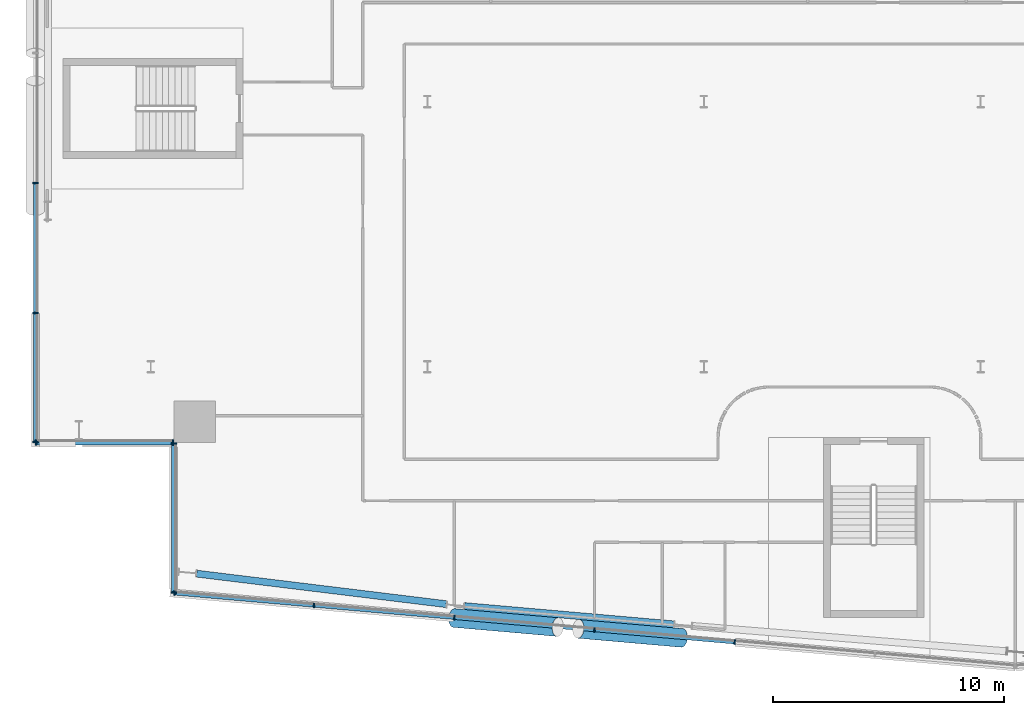
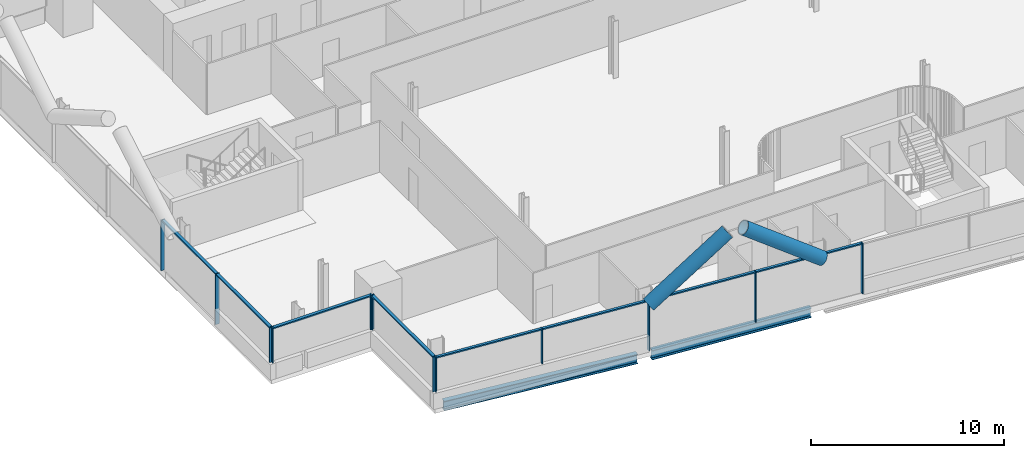
# One storey, part 5 of 30: 22 members, 2 beams, 4 elements without a shape of their own.
"""IFC4 building model written with IfcOpenShell, lengths in metres."""

from ifc_helpers import new_model, si_unit, direction, frame, origin, origin_2d, place, context, subcontext, project, spatial, rectangle, hollow_circle, i_section, extrude, material, material_profile, profile_set, type_object, element, aggregate, save


model = new_model("IFC4")

# Units and contexts
model_context = context("Model", 3, precision=1e-05, world=origin(), true_north=direction((0.0, 1.0)))
body_context = subcontext(model_context, "Body", "Model", "MODEL_VIEW")
ifc_project = project(units=[si_unit("LENGTHUNIT", "METRE"), si_unit("AREAUNIT", "SQUARE_METRE"), si_unit("VOLUMEUNIT", "CUBIC_METRE"), si_unit("PLANEANGLEUNIT", "RADIAN"), si_unit("MASSUNIT", "GRAM", prefix="KILO")], contexts=[model_context])

# Site, building, storey
site_placement = place(None, origin())
site = spatial("IfcSite", under=ifc_project, at=site_placement, CompositionType="ELEMENT")
building_placement = place(site_placement, origin())
building = spatial("IfcBuilding", under=site, at=building_placement, Name="Wharfspan Tower", CompositionType="ELEMENT")
storey_placement = place(building_placement, frame((0.0, 0.0, 107.5)))
storey = spatial("IfcBuildingStorey", under=building, at=storey_placement, Name="L24", CompositionType="ELEMENT", Elevation=107.5)

# Beams
ifc_material_1 = material(Name="Steel S355J2", Category="steel")
ifc_material_profile_1 = material_profile(ifc_material_1, i_section(OverallWidth=0.300049, OverallDepth=0.600098, WebThickness=0.015381, FlangeThickness=0.030029, FilletRadius=0.0271, at=origin_2d()))
ifc_profile_set_1 = profile_set([ifc_material_profile_1], Name="Steel S355J2")
beam_type = type_object("IfcBeamType", Name="Edge beam HEB 600", PredefinedType="SPANDREL", material=ifc_profile_set_1)
beam_1_placement = place(storey_placement, frame((13.990967, 2.520508, -0.699951), z_axis=(0.992611, -0.121342, 0.0), x_axis=(0.121342, 0.992611, 0.0)))
element("IfcBeam", 1, at=beam_1_placement, inside=storey, type_object=beam_type, Name="Edge beam S1 L24 PS1.1 to PS1.2", PredefinedType="SPANDREL", context=body_context, shape_type="SweptSolid", body=[
    extrude(i_section(OverallWidth=0.300049, OverallDepth=0.600098, WebThickness=0.015381, FlangeThickness=0.030029, FilletRadius=0.0271, at=origin_2d()), origin(), (0.0, 0.0, 1.0), 10.903076),
])
beam_2_placement = place(storey_placement, frame((25.615234, 1.113525, -0.699951), z_axis=(0.996195, -0.087151, 0.0), x_axis=(0.087151, 0.996195, 0.0)))
element("IfcBeam", 2, at=beam_2_placement, inside=storey, type_object=beam_type, Name="Edge beam S1 L24 PS1.2 to PS1.3", PredefinedType="SPANDREL", context=body_context, shape_type="SweptSolid", body=[
    extrude(i_section(OverallWidth=0.300049, OverallDepth=0.600098, WebThickness=0.015381, FlangeThickness=0.030029, FilletRadius=0.0271, at=origin_2d()), origin(), (0.0, 0.0, 1.0), 9.107178),
])

# Curtain wall, members
ifc_material_2 = material(Name="Aluminium 6063-T6", Category="aluminium")
curtain_wall_type_1 = type_object("IfcCurtainWallType", Name="CURTAIN WALL FACETED FRONT", PredefinedType="NOTDEFINED", material=ifc_material_2)
curtain_wall_1_placement = place(storey_placement, origin())
curtain_wall_1 = element("IfcCurtainWall", 3, at=curtain_wall_1_placement, inside=storey, type_object=curtain_wall_type_1, Name="Curtain wall S1", PredefinedType="NOTDEFINED")
ifc_material_profile_2 = material_profile(ifc_material_2, rectangle(XDim=0.199951, YDim=0.060059, at=origin_2d()))
ifc_profile_set_2 = profile_set([ifc_material_profile_2], Name="Aluminium 6063-T6")
member_type_1 = type_object("IfcMemberType", Name="MULLION FACETED FRONT 60x200", PredefinedType="MULLION", material=ifc_profile_set_2)
member_1_placement = place(storey_placement, frame((13.029785, 1.672363, 1.0), z_axis=(0.0, 0.0, 1.0), x_axis=(0.087156, 0.996198, 0.0)))
member_1 = element("IfcMember", 4, at=member_1_placement, type_object=member_type_1, Name="Curtain wall S1 mullion 1", PredefinedType="MULLION", context=body_context, shape_type="SweptSolid", body=[
    extrude(rectangle(XDim=0.199951, YDim=0.060059, at=origin_2d()), origin(), (0.0, 0.0, 1.0), 2.199951),
])
member_2_placement = place(storey_placement, frame((19.083252, 1.142822, 1.0), z_axis=(0.0, 0.0, 1.0), x_axis=(0.087156, 0.996198, 0.0)))
member_2 = element("IfcMember", 5, at=member_2_placement, type_object=member_type_1, Name="Curtain wall S1 mullion 2", PredefinedType="MULLION", context=body_context, shape_type="SweptSolid", body=[
    extrude(rectangle(XDim=0.199951, YDim=0.060059, at=origin_2d()), origin(), (0.0, 0.0, 1.0), 2.199951),
])
member_3_placement = place(storey_placement, frame((25.166748, 0.610596, 0.0), z_axis=(0.0, 0.0, 1.0), x_axis=(0.087156, 0.996198, 0.0)))
member_3 = element("IfcMember", 6, at=member_3_placement, type_object=member_type_1, Name="Curtain wall S1 mullion 3", PredefinedType="MULLION", context=body_context, shape_type="SweptSolid", body=[
    extrude(rectangle(XDim=0.199951, YDim=0.060059, at=origin_2d()), origin(), (0.0, 0.0, 1.0), 3.199951),
])
member_4_placement = place(storey_placement, frame((31.25, 0.078369, 0.0), z_axis=(0.0, 0.0, 1.0), x_axis=(0.087156, 0.996198, 0.0)))
member_4 = element("IfcMember", 7, at=member_4_placement, type_object=member_type_1, Name="Curtain wall S1 mullion 4", PredefinedType="MULLION", context=body_context, shape_type="SweptSolid", body=[
    extrude(rectangle(XDim=0.199951, YDim=0.060059, at=origin_2d()), origin(), (0.0, 0.0, 1.0), 3.199951),
])
member_5_placement = place(storey_placement, frame((37.333252, -0.453857, 0.0), z_axis=(0.0, 0.0, 1.0), x_axis=(0.087156, 0.996198, 0.0)))
member_5 = element("IfcMember", 8, at=member_5_placement, type_object=member_type_1, Name="Curtain wall S1 mullion 5", PredefinedType="MULLION", context=body_context, shape_type="SweptSolid", body=[
    extrude(rectangle(XDim=0.199951, YDim=0.060059, at=origin_2d()), origin(), (0.0, 0.0, 1.0), 3.199951),
])

curtain_wall_type_2 = type_object("IfcCurtainWallType", Name="CURTAIN WALL PROW AND END", PredefinedType="NOTDEFINED", material=ifc_material_2)
curtain_wall_2_placement = place(storey_placement, origin())
curtain_wall_2 = element("IfcCurtainWall", 9, at=curtain_wall_2_placement, inside=storey, type_object=curtain_wall_type_2, Name="Curtain wall W", PredefinedType="NOTDEFINED")
ifc_material_profile_3 = material_profile(ifc_material_2, rectangle(XDim=0.23999, YDim=0.060059, at=origin_2d()))
ifc_profile_set_3 = profile_set([ifc_material_profile_3], Name="Aluminium 6063-T6")
member_type_2 = type_object("IfcMemberType", Name="MULLION PROW AND END 60x240", PredefinedType="MULLION", material=ifc_profile_set_3)
member_6_placement = place(storey_placement, frame((7.0, 19.466553, 0.0), z_axis=(0.0, 0.0, 1.0), x_axis=(1.0, 0.0, 0.0)))
member_6 = element("IfcMember", 10, at=member_6_placement, type_object=member_type_2, Name="Curtain wall W mullion 5", PredefinedType="MULLION", context=body_context, shape_type="SweptSolid", body=[
    extrude(rectangle(XDim=0.23999, YDim=0.060059, at=origin_2d()), origin(), (0.0, 0.0, 1.0), 3.199951),
])
member_7_placement = place(storey_placement, frame((7.0, 13.833252, 0.0), z_axis=(0.0, 0.0, 1.0), x_axis=(1.0, 0.0, 0.0)))
member_7 = element("IfcMember", 11, at=member_7_placement, type_object=member_type_2, Name="Curtain wall W mullion 6", PredefinedType="MULLION", context=body_context, shape_type="SweptSolid", body=[
    extrude(rectangle(XDim=0.23999, YDim=0.060059, at=origin_2d()), origin(), (0.0, 0.0, 1.0), 3.199951),
])
member_8_placement = place(storey_placement, frame((7.0, 8.22998, 1.0), z_axis=(0.0, 0.0, 1.0), x_axis=(1.0, 0.0, 0.0)))
member_8 = element("IfcMember", 12, at=member_8_placement, type_object=member_type_2, Name="Curtain wall W mullion 7", PredefinedType="MULLION", context=body_context, shape_type="SweptSolid", body=[
    extrude(rectangle(XDim=0.23999, YDim=0.060059, at=origin_2d()), origin(), (0.0, 0.0, 1.0), 2.199951),
])

curtain_wall_3_placement = place(storey_placement, origin())
curtain_wall_3 = element("IfcCurtainWall", 13, at=curtain_wall_3_placement, inside=storey, type_object=curtain_wall_type_2, Name="Curtain wall NFW-H", PredefinedType="NOTDEFINED")
member_9_placement = place(storey_placement, frame((7.030029, 8.199951, 1.0), z_axis=(0.0, 0.0, 1.0), x_axis=(0.0, 1.0, 0.0)))
member_9 = element("IfcMember", 14, at=member_9_placement, type_object=member_type_2, Name="Curtain wall NFW-H mullion 1", PredefinedType="MULLION", context=body_context, shape_type="SweptSolid", body=[
    extrude(rectangle(XDim=0.23999, YDim=0.060059, at=origin_2d()), origin(), (0.0, 0.0, 1.0), 2.199951),
])
member_10_placement = place(storey_placement, frame((12.969971, 8.199951, 1.0), z_axis=(0.0, 0.0, 1.0), x_axis=(0.0, 1.0, 0.0)))
member_10 = element("IfcMember", 15, at=member_10_placement, type_object=member_type_2, Name="Curtain wall NFW-H mullion 2", PredefinedType="MULLION", context=body_context, shape_type="SweptSolid", body=[
    extrude(rectangle(XDim=0.23999, YDim=0.060059, at=origin_2d()), origin(), (0.0, 0.0, 1.0), 2.199951),
])

curtain_wall_4_placement = place(storey_placement, origin())
curtain_wall_4 = element("IfcCurtainWall", 16, at=curtain_wall_4_placement, inside=storey, type_object=curtain_wall_type_2, Name="Curtain wall NFW-V", PredefinedType="NOTDEFINED")
member_11_placement = place(storey_placement, frame((13.0, 8.169922, 1.0), z_axis=(0.0, 0.0, 1.0), x_axis=(1.0, 0.0, 0.0)))
member_11 = element("IfcMember", 17, at=member_11_placement, type_object=member_type_2, Name="Curtain wall NFW-V mullion 1", PredefinedType="MULLION", context=body_context, shape_type="SweptSolid", body=[
    extrude(rectangle(XDim=0.23999, YDim=0.060059, at=origin_2d()), origin(), (0.0, 0.0, 1.0), 2.199951),
])
member_12_placement = place(storey_placement, frame((13.0, 1.705078, 1.0), z_axis=(0.0, 0.0, 1.0), x_axis=(1.0, 0.0, 0.0)))
member_12 = element("IfcMember", 18, at=member_12_placement, type_object=member_type_2, Name="Curtain wall NFW-V mullion 2", PredefinedType="MULLION", context=body_context, shape_type="SweptSolid", body=[
    extrude(rectangle(XDim=0.23999, YDim=0.060059, at=origin_2d()), origin(), (0.0, 0.0, 1.0), 2.199951),
])

# Members
ifc_material_3 = material(Name="Steel S460NH", Category="steel")
ifc_material_profile_4 = material_profile(ifc_material_3, hollow_circle(Radius=0.406494, WallThickness=0.040039, at=origin_2d()))
ifc_profile_set_4 = profile_set([ifc_material_profile_4], Name="Steel S460NH")
member_type_3 = type_object("IfcMemberType", Name="Mega brace CHS 813x40", PredefinedType="BRACE", material=ifc_profile_set_4)
member_13_placement = place(storey_placement, frame((25.165283, 0.595703, 2.899902), z_axis=(0.80603, -0.070526, 0.587658), x_axis=(0.087167, 0.996192, -3e-06)))
element("IfcMember", 19, at=member_13_placement, inside=storey, type_object=member_type_3, Name="Mega brace S1 L25 part 1", PredefinedType="BRACE", context=body_context, shape_type="SweptSolid", body=[
    extrude(hollow_circle(Radius=0.406494, WallThickness=0.040039, at=origin_2d()), origin(), (0.0, 0.0, 1.0), 5.569824),
])
member_14_placement = place(storey_placement, frame((35.040771, -0.268311, 2.899902), z_axis=(-0.806015, 0.070528, 0.587679), x_axis=(-0.087171, -0.996191, -3e-06)))
element("IfcMember", 20, at=member_14_placement, inside=storey, type_object=member_type_3, Name="Mega brace S1 L25 part 3", PredefinedType="BRACE", context=body_context, shape_type="SweptSolid", body=[
    extrude(hollow_circle(Radius=0.406494, WallThickness=0.040039, at=origin_2d()), origin(), (0.0, 0.0, 1.0), 5.56958),
])

# Member
ifc_material_profile_5 = material_profile(ifc_material_2, rectangle(XDim=0.159912, YDim=0.080078, at=origin_2d()))
ifc_profile_set_5 = profile_set([ifc_material_profile_5], Name="Aluminium 6063-T6")
member_type_4 = type_object("IfcMemberType", Name="TRANSOM FACETED FRONT 80x160", PredefinedType="USERDEFINED", material=ifc_profile_set_5)
member_15_placement = place(storey_placement, frame((13.059814, 1.669922, 3.159912), z_axis=(0.996194, -0.087162, 0.0), x_axis=(0.087162, 0.996194, 0.0)))
member_15 = element("IfcMember", 21, at=member_15_placement, type_object=member_type_4, Name="Curtain wall S1 transom 1", ObjectType="TRANSOM", PredefinedType="USERDEFINED", context=body_context, shape_type="SweptSolid", body=[
    extrude(rectangle(XDim=0.159912, YDim=0.080078, at=origin_2d()), origin(), (0.0, 0.0, 1.0), 6.016602),
])

member_16_placement = place(storey_placement, frame((19.113281, 1.140137, 3.159912), z_axis=(0.996197, -0.087135, 0.0), x_axis=(0.087135, 0.996197, 0.0)))
member_16 = element("IfcMember", 22, at=member_16_placement, type_object=member_type_4, Name="Curtain wall S1 transom 2", ObjectType="TRANSOM", PredefinedType="USERDEFINED", context=body_context, shape_type="SweptSolid", body=[
    extrude(rectangle(XDim=0.159912, YDim=0.080078, at=origin_2d()), origin(), (0.0, 0.0, 1.0), 6.046387),
])

member_17_placement = place(storey_placement, frame((25.196533, 0.60791, 3.159912), z_axis=(0.996197, -0.087131, 0.0), x_axis=(0.087131, 0.996197, 0.0)))
member_17 = element("IfcMember", 23, at=member_17_placement, type_object=member_type_4, Name="Curtain wall S1 transom 3", ObjectType="TRANSOM", PredefinedType="USERDEFINED", context=body_context, shape_type="SweptSolid", body=[
    extrude(rectangle(XDim=0.159912, YDim=0.080078, at=origin_2d()), origin(), (0.0, 0.0, 1.0), 6.046631),
])

member_18_placement = place(storey_placement, frame((31.279785, 0.075684, 3.159912), z_axis=(0.996197, -0.087131, 0.0), x_axis=(0.087131, 0.996197, 0.0)))
member_18 = element("IfcMember", 24, at=member_18_placement, type_object=member_type_4, Name="Curtain wall S1 transom 4", ObjectType="TRANSOM", PredefinedType="USERDEFINED", context=body_context, shape_type="SweptSolid", body=[
    extrude(rectangle(XDim=0.159912, YDim=0.080078, at=origin_2d()), origin(), (0.0, 0.0, 1.0), 6.046631),
])

aggregate(curtain_wall_1, [member_1, member_2, member_3, member_4, member_5, member_15, member_16, member_17, member_18])

ifc_material_profile_6 = material_profile(ifc_material_2, rectangle(XDim=0.179932, YDim=0.080078, at=origin_2d()))
ifc_profile_set_6 = profile_set([ifc_material_profile_6], Name="Aluminium 6063-T6")
member_type_5 = type_object("IfcMemberType", Name="TRANSOM PROW AND END 80x180", PredefinedType="USERDEFINED", material=ifc_profile_set_6)
member_19_placement = place(storey_placement, frame((7.0, 19.436768, 3.159912), z_axis=(0.0, -1.0, 0.0), x_axis=(1.0, 0.0, 0.0)))
member_19 = element("IfcMember", 25, at=member_19_placement, type_object=member_type_5, Name="Curtain wall W transom 5", ObjectType="TRANSOM", PredefinedType="USERDEFINED", context=body_context, shape_type="SweptSolid", body=[
    extrude(rectangle(XDim=0.179932, YDim=0.080078, at=origin_2d()), origin(), (0.0, 0.0, 1.0), 5.573486),
])

member_20_placement = place(storey_placement, frame((7.0, 13.803223, 3.159912), z_axis=(0.0, -1.0, 0.0), x_axis=(1.0, 0.0, 0.0)))
member_20 = element("IfcMember", 26, at=member_20_placement, type_object=member_type_5, Name="Curtain wall W transom 6", ObjectType="TRANSOM", PredefinedType="USERDEFINED", context=body_context, shape_type="SweptSolid", body=[
    extrude(rectangle(XDim=0.179932, YDim=0.080078, at=origin_2d()), origin(), (0.0, 0.0, 1.0), 5.543213),
])

aggregate(curtain_wall_2, [member_6, member_7, member_8, member_19, member_20])

member_21_placement = place(storey_placement, frame((7.060059, 8.199951, 3.159912), z_axis=(1.0, 0.0, 0.0), x_axis=(0.0, 1.0, 0.0)))
member_21 = element("IfcMember", 27, at=member_21_placement, type_object=member_type_5, Name="Curtain wall NFW-H transom 1", ObjectType="TRANSOM", PredefinedType="USERDEFINED", context=body_context, shape_type="SweptSolid", body=[
    extrude(rectangle(XDim=0.179932, YDim=0.080078, at=origin_2d()), origin(), (0.0, 0.0, 1.0), 5.879883),
])

aggregate(curtain_wall_3, [member_9, member_10, member_21])

member_22_placement = place(storey_placement, frame((13.0, 8.139893, 3.159912), z_axis=(0.0, -1.0, 0.0), x_axis=(1.0, 0.0, 0.0)))
member_22 = element("IfcMember", 28, at=member_22_placement, type_object=member_type_5, Name="Curtain wall NFW-V transom 1", ObjectType="TRANSOM", PredefinedType="USERDEFINED", context=body_context, shape_type="SweptSolid", body=[
    extrude(rectangle(XDim=0.179932, YDim=0.080078, at=origin_2d()), origin(), (0.0, 0.0, 1.0), 6.404785),
])

aggregate(curtain_wall_4, [member_11, member_12, member_22])

save(model, "model.ifc")
